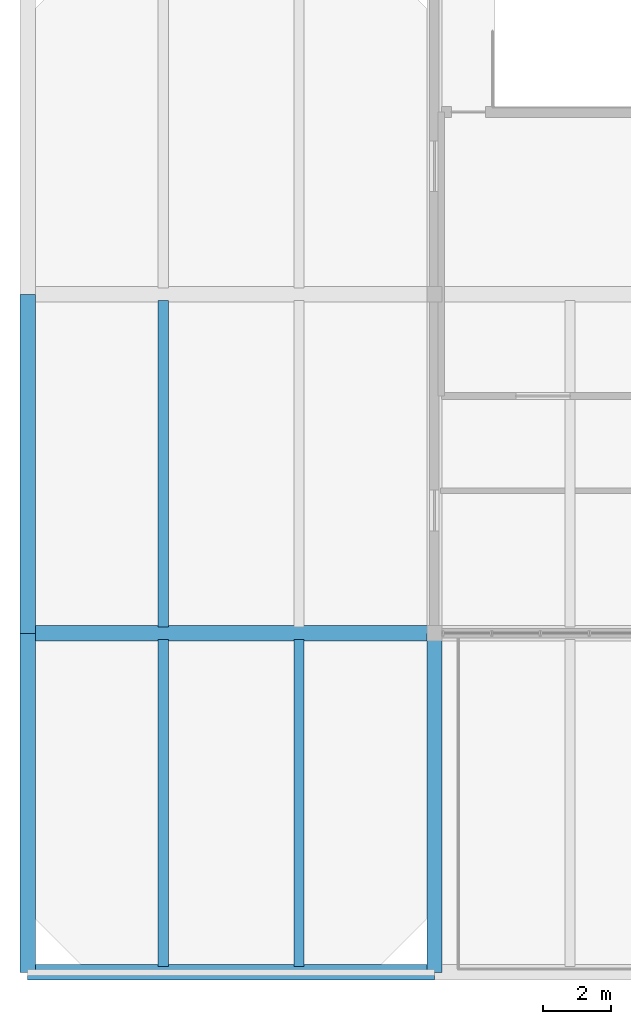
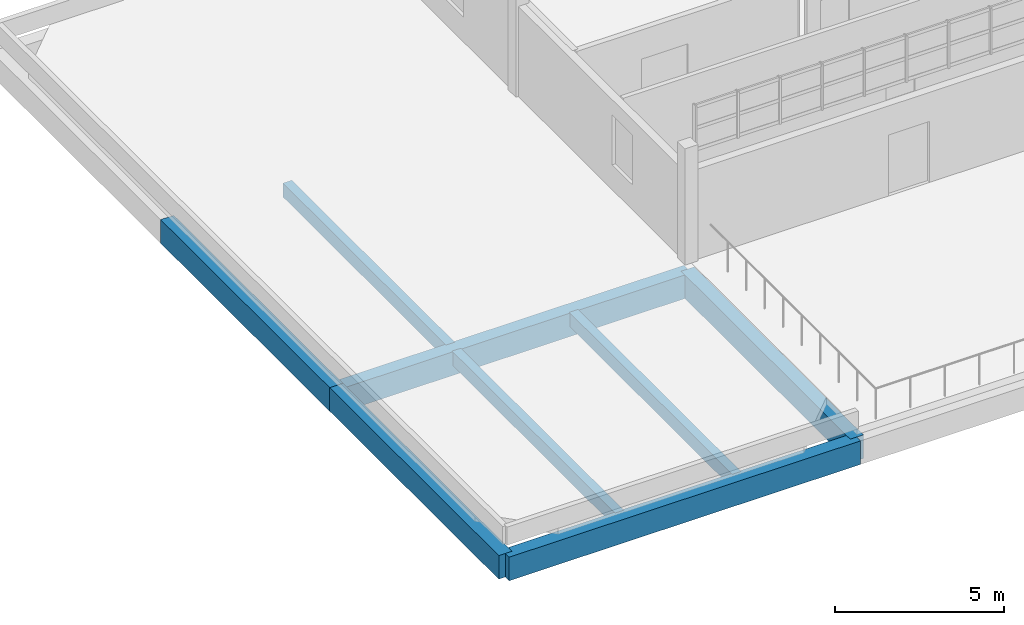
# One storey, part 3 of 36: 8 beams.
"""IFC4 building model written with IfcOpenShell, lengths in metres."""

from ifc_helpers import new_model, si_unit, direction, frame, origin, origin_2d, place, context, subcontext, project, spatial, rectangle, extrude, material, material_profile, profile_set, type_object, element, save


model = new_model("IFC4")

# Units and contexts
model_context = context("Model", 3, precision=1e-05, world=origin(), true_north=direction((0.0, 1.0)))
body_context = subcontext(model_context, "Body", "Model", "MODEL_VIEW")
ifc_project = project(units=[si_unit("LENGTHUNIT", "METRE"), si_unit("AREAUNIT", "SQUARE_METRE"), si_unit("VOLUMEUNIT", "CUBIC_METRE"), si_unit("PLANEANGLEUNIT", "RADIAN"), si_unit("MASSUNIT", "GRAM", prefix="KILO")], contexts=[model_context])

# Site, building, storey
site_placement = place(None, origin())
site = spatial("IfcSite", under=ifc_project, at=site_placement, CompositionType="ELEMENT")
building_placement = place(site_placement, origin())
building = spatial("IfcBuilding", under=site, at=building_placement, Name="Mersad Railyard Sports Hall", CompositionType="ELEMENT")
storey_placement = place(building_placement, frame((0.0, 0.0, 21.60009765625)))
storey = spatial("IfcBuildingStorey", under=building, at=storey_placement, Name="L05", CompositionType="ELEMENT", Elevation=21.60009765625)

# Beams
ifc_material = material(Name="Concrete C40/50", Category="concrete")
ifc_material_profile_1 = material_profile(ifc_material, rectangle(XDim=0.449951171875, YDim=0.85009765625, at=origin_2d()), Name="RC 450x850")
ifc_profile_set_1 = profile_set([ifc_material_profile_1], Name="Concrete C40/50")
beam_type_1 = type_object("IfcBeamType", Name="STR-BM-B02", PredefinedType="BEAM", material=ifc_profile_set_1)
for number, where, z_axis, x_axis, name in (
    (1, (55.0, 85.0, -0.775146484375), (1.0, 0.0, 0.0), (0.0, 1.0, 0.0), "Beam B02-1403"),
    (2, (55.0, 95.0, -0.775146484375), (1.0, 0.0, 0.0), (0.0, 1.0, 0.0), "Beam B02-1409"),
):
    element("IfcBeam", number, at=place(storey_placement, frame(where, z_axis=z_axis, x_axis=x_axis)), inside=storey, type_object=beam_type_1, Name=name, PredefinedType="BEAM", context=body_context, shape_type="SweptSolid", body=[
        extrude(rectangle(XDim=0.449951171875, YDim=0.85009765625, at=origin_2d()), origin(), (0.0, 0.0, 1.0), 12.0),
    ])
for number, where, z_axis, x_axis, name in (
    (3, (55.0, 85.0, -0.775146484375), (0.0, 1.0, 0.0), (-1.0, 0.0, 0.0), "Beam B02-1427"),
    (4, (55.0, 95.0, -0.775146484375), (0.0, 1.0, 0.0), (-1.0, 0.0, 0.0), "Beam B02-1428"),
    (5, (67.0, 85.0, -0.775146484375), (0.0, 1.0, 0.0), (-1.0, 0.0, 0.0), "Beam B02-1430"),
):
    element("IfcBeam", number, at=place(storey_placement, frame(where, z_axis=z_axis, x_axis=x_axis)), inside=storey, type_object=beam_type_1, Name=name, PredefinedType="BEAM", context=body_context, shape_type="SweptSolid", body=[
        extrude(rectangle(XDim=0.449951171875, YDim=0.85009765625, at=origin_2d()), origin(), (0.0, 0.0, 1.0), 10.0),
    ])
ifc_material_profile_2 = material_profile(ifc_material, rectangle(XDim=0.300048828125, YDim=0.5, at=origin_2d()), Name="RC 300x500")
ifc_profile_set_2 = profile_set([ifc_material_profile_2], Name="Concrete C40/50")
beam_type_2 = type_object("IfcBeamType", Name="STR-BM-LN01", PredefinedType="LINTEL", material=ifc_profile_set_2)
for number, where, z_axis, x_axis, name in (
    (6, (59.0, 85.179931640625, -0.60009765625), (0.0, 1.0, 0.0), (-1.0, 0.0, 0.0), "Beam LN01-1448"),
    (7, (63.0, 85.179931640625, -0.60009765625), (0.0, 1.0, 0.0), (-1.0, 0.0, 0.0), "Beam LN01-1449"),
    (8, (59.0, 95.179931640625, -0.60009765625), (0.0, 1.0, 0.0), (-1.0, 0.0, 0.0), "Beam LN01-1450"),
):
    element("IfcBeam", number, at=place(storey_placement, frame(where, z_axis=z_axis, x_axis=x_axis)), inside=storey, type_object=beam_type_2, Name=name, PredefinedType="LINTEL", context=body_context, shape_type="SweptSolid", body=[
        extrude(rectangle(XDim=0.300048828125, YDim=0.5, at=origin_2d()), origin(), (0.0, 0.0, 1.0), 9.64013671875),
    ])

save(model, "model.ifc")
